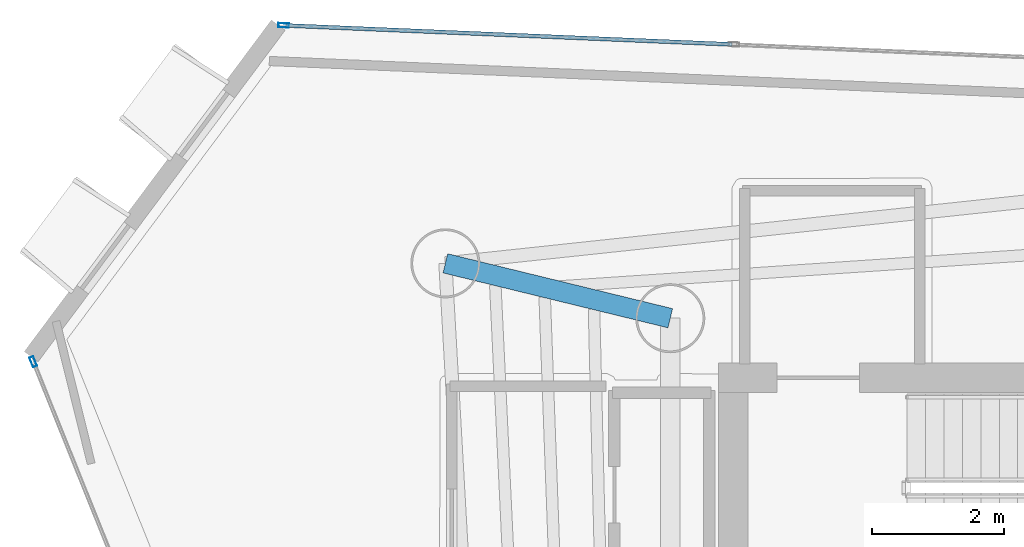
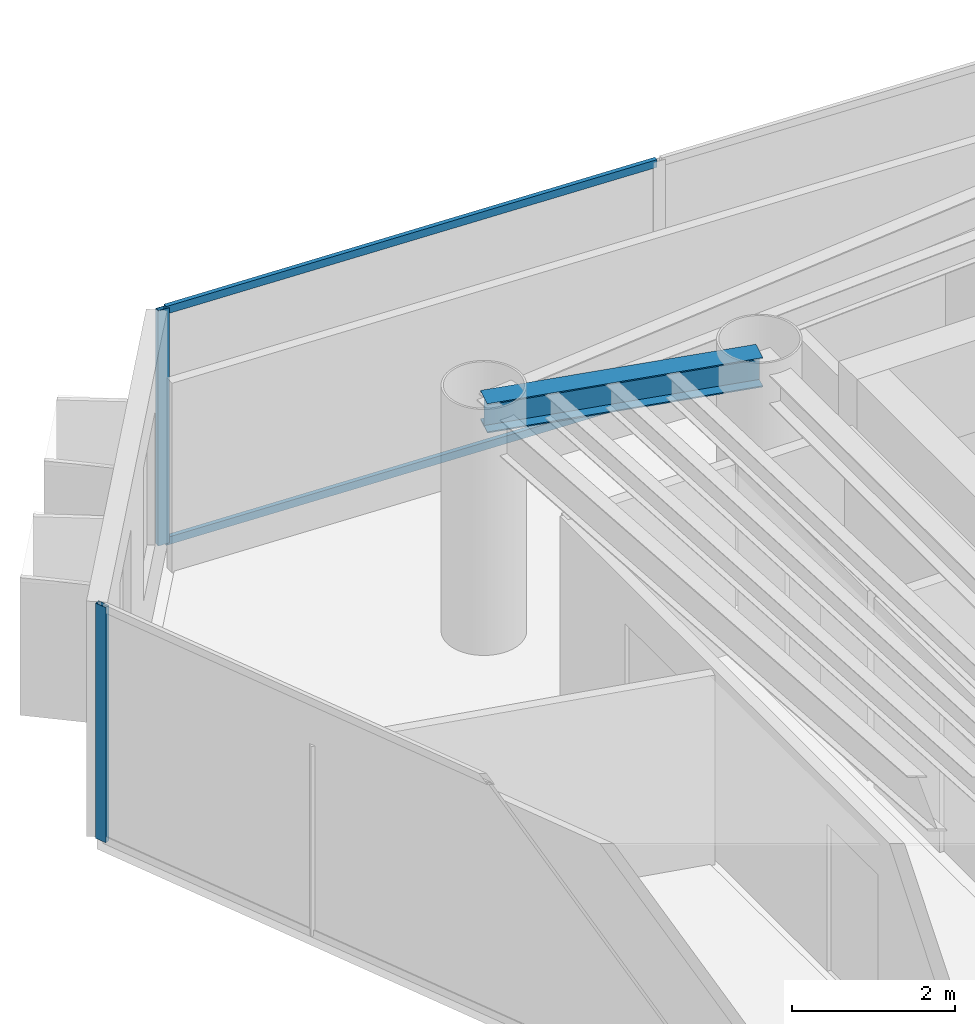
# One storey, part 8 of 21: 4 members, 1 beam, 2 elements without a shape of their own.
"""IFC4 building model written with IfcOpenShell, lengths in metres."""

from ifc_helpers import new_model, si_unit, direction, frame, origin, origin_2d, place, context, subcontext, project, spatial, hollow_rectangle, i_section, extrude, material, layer, layer_set, material_profile, profile_set, type_object, element, aggregate, save


model = new_model("IFC4")

# Units and contexts
model_context = context("Model", 3, precision=1e-05, world=origin(), true_north=direction((0.0, 1.0)))
body_context = subcontext(model_context, "Body", "Model", "MODEL_VIEW")
ifc_project = project(units=[si_unit("LENGTHUNIT", "METRE"), si_unit("AREAUNIT", "SQUARE_METRE"), si_unit("VOLUMEUNIT", "CUBIC_METRE"), si_unit("PLANEANGLEUNIT", "RADIAN"), si_unit("MASSUNIT", "GRAM", prefix="KILO")], contexts=[model_context])

# Site, building, storey
site_placement = place(None, origin())
site = spatial("IfcSite", under=ifc_project, at=site_placement, CompositionType="ELEMENT")
building_placement = place(site_placement, origin())
building = spatial("IfcBuilding", under=site, at=building_placement, Name="Qianvela Tower", CompositionType="ELEMENT")
storey_placement = place(building_placement, frame((0.0, 0.0, 242.699951171875)))
storey = spatial("IfcBuildingStorey", under=building, at=storey_placement, Name="L62", CompositionType="ELEMENT", Elevation=242.699951171875)

# Beam
ifc_material_1 = material(Name="Steel Q355B", Category="steel")
ifc_material_profile_1 = material_profile(ifc_material_1, i_section(OverallWidth=0.300048828125, OverallDepth=0.43994140625, WebThickness=0.010986328125, FlangeThickness=0.01806640625, at=origin_2d()), Name="HM440x300x11x18")
ifc_profile_set_1 = profile_set([ifc_material_profile_1], Name="Steel Q355B")
beam_type = type_object("IfcBeamType", Name="BM-HM440-COLL", PredefinedType="BEAM", material=ifc_profile_set_1)
beam_placement = place(storey_placement, frame((28.60009765625, 33.550048828125, 3.298095703125), z_axis=(-0.971502414323, 0.237029658405, 0.0), x_axis=(-0.237029658405, -0.971502414323, 0.0)))
element("IfcBeam", 1, at=beam_placement, inside=storey, type_object=beam_type, Name="L62 Radial Primary Floor Girder 3", PredefinedType="BEAM", context=body_context, shape_type="SweptSolid", body=[
    extrude(i_section(OverallWidth=0.300048828125, OverallDepth=0.43994140625, WebThickness=0.010986328125, FlangeThickness=0.01806640625, at=origin_2d()), origin(), (0.0, 0.0, 1.0), 3.5185546875),
])

# Curtain wall, member
ifc_material_2 = material(Name="Anodised Architectural Aluminium and Low-E Glass", Category="aluminium")
ifc_layer = layer(ifc_material_2, 0.159912109375)
ifc_layer_set = layer_set([ifc_layer], Name="Anodised Architectural Aluminium and Low-E Glass")
curtain_wall_type = type_object("IfcCurtainWallType", Name="CW-COLIV-Z56", PredefinedType="USERDEFINED", material=ifc_layer_set)
curtain_wall_1_placement = place(storey_placement, origin())
curtain_wall_1 = element("IfcCurtainWall", 2, at=curtain_wall_1_placement, inside=storey, type_object=curtain_wall_type, Name="L62 CW-COLIV-Z56 Curtain Wall 02C", ObjectType="CURTAIN_WALL_SYSTEM", PredefinedType="USERDEFINED")
ifc_material_3 = material(Name="Anodised Architectural Aluminium 6063-T6", Category="aluminium")
ifc_material_profile_2 = material_profile(ifc_material_3, hollow_rectangle(XDim=0.06494140625, YDim=0.159912109375, WallThickness=0.0048828125, at=origin_2d()), Name="ALU-MULL-65x160")
ifc_profile_set_2 = profile_set([ifc_material_profile_2], Name="Anodised Architectural Aluminium 6063-T6")
member_type_1 = type_object("IfcMemberType", Name="CW-COLIV-Z56-MULL", PredefinedType="MULLION", material=ifc_profile_set_2)
member_1_placement = place(storey_placement, frame((22.724365234375, 38.001220703125, 0.0), z_axis=(0.0, 0.0, 1.0), x_axis=(-0.042454565017, -0.999098398512, 0.0)))
member_1 = element("IfcMember", 3, at=member_1_placement, type_object=member_type_1, Name="CW-5 mullion 3", PredefinedType="MULLION", context=body_context, shape_type="SweptSolid", body=[
    extrude(hollow_rectangle(XDim=0.06494140625, YDim=0.159912109375, WallThickness=0.0048828125, at=origin_2d()), origin(), (0.0, 0.0, 1.0), 3.52001953125),
])

curtain_wall_2_placement = place(storey_placement, origin())
curtain_wall_2 = element("IfcCurtainWall", 4, at=curtain_wall_2_placement, inside=storey, type_object=curtain_wall_type, Name="L62 CW-COLIV-Z56 Curtain Wall 04A", ObjectType="CURTAIN_WALL_SYSTEM", PredefinedType="USERDEFINED")
member_2_placement = place(storey_placement, frame((18.917724609375, 32.88916015625, 0.0), z_axis=(0.0, 0.0, 1.0), x_axis=(0.92770836308, 0.373305763512, 0.0)))
member_2 = element("IfcMember", 5, at=member_2_placement, type_object=member_type_1, Name="CW-5 mullion 1", PredefinedType="MULLION", context=body_context, shape_type="SweptSolid", body=[
    extrude(hollow_rectangle(XDim=0.06494140625, YDim=0.159912109375, WallThickness=0.0048828125, at=origin_2d()), origin(), (0.0, 0.0, 1.0), 3.52001953125),
])
aggregate(curtain_wall_2, [member_2])

# Member
ifc_material_4 = material(Name="Anodised Architectural Aluminium 6063-T6", Category="aluminium")
ifc_material_profile_3 = material_profile(ifc_material_4, hollow_rectangle(XDim=0.06005859375, YDim=0.114990234375, WallThickness=0.00390625, at=origin_2d()), Name="ALU-TRAN-60x115")
ifc_profile_set_3 = profile_set([ifc_material_profile_3], Name="Anodised Architectural Aluminium 6063-T6")
member_type_2 = type_object("IfcMemberType", Name="CW-COLIV-Z56-TRAN", PredefinedType="USERDEFINED", material=ifc_profile_set_3)
member_3_placement = place(storey_placement, frame((29.538330078125, 37.711669921875, 0.030029296875), z_axis=(-0.999098893724, 0.042442909407, 0.0), x_axis=(-0.042442909407, -0.999098893724, 0.0)))
member_3 = element("IfcMember", 6, at=member_3_placement, type_object=member_type_2, Name="CW-5 transom 2.1", ObjectType="TRANSOM", PredefinedType="USERDEFINED", context=body_context, shape_type="SweptSolid", body=[
    extrude(hollow_rectangle(XDim=0.06005859375, YDim=0.114990234375, WallThickness=0.00390625, at=origin_2d()), origin(), (0.0, 0.0, 1.0), 6.78759765625),
])

member_4_placement = place(storey_placement, frame((29.538330078125, 37.711669921875, 3.489990234375), z_axis=(-0.999098893724, 0.042442909407, 0.0), x_axis=(-0.042442909407, -0.999098893724, 0.0)))
member_4 = element("IfcMember", 7, at=member_4_placement, type_object=member_type_2, Name="CW-5 transom 2.2", ObjectType="TRANSOM", PredefinedType="USERDEFINED", context=body_context, shape_type="SweptSolid", body=[
    extrude(hollow_rectangle(XDim=0.06005859375, YDim=0.114990234375, WallThickness=0.00390625, at=origin_2d()), origin(), (0.0, 0.0, 1.0), 6.78759765625),
])

aggregate(curtain_wall_1, [member_1, member_3, member_4])

save(model, "model.ifc")
